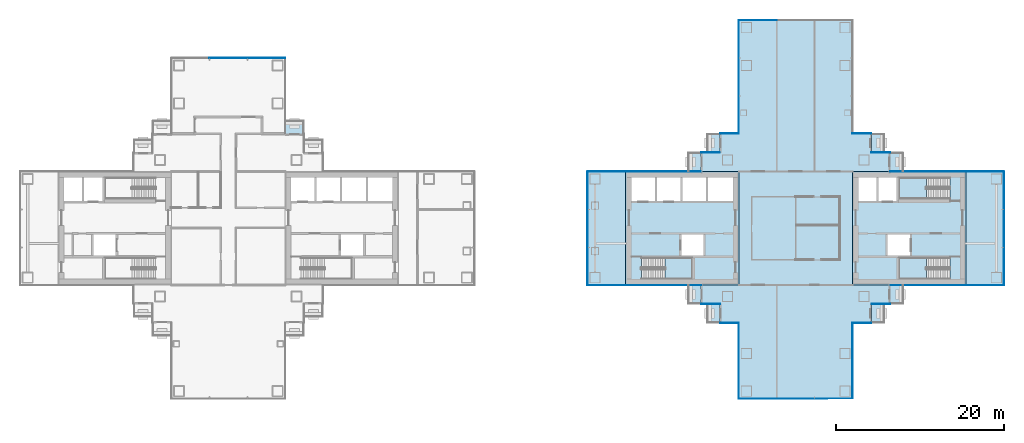
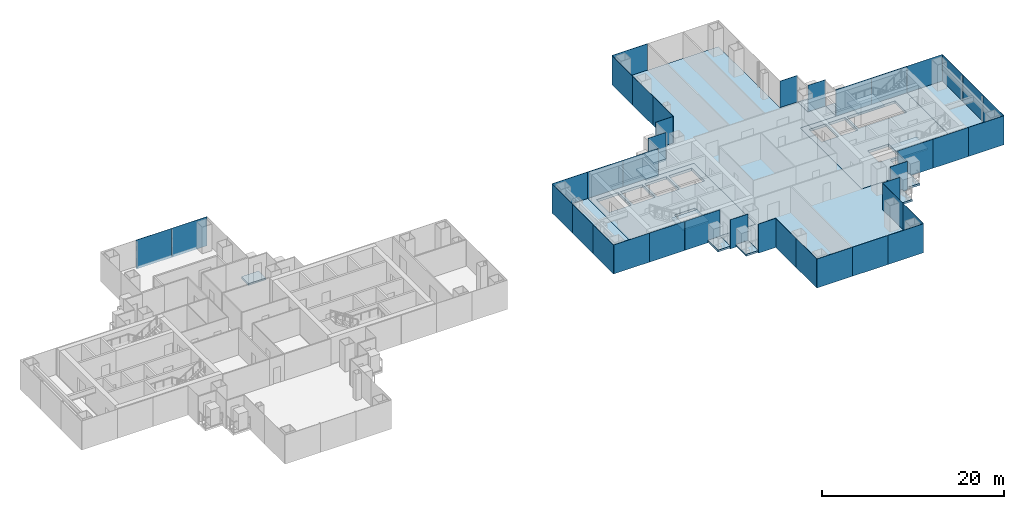
# One storey, part 10 of 20: 39 plates, 17 slabs, 23 elements without a shape of their own.
"""IFC4 building model written with IfcOpenShell, lengths in metres."""

from ifc_helpers import new_model, si_unit, direction, frame, origin, origin_2d, place, context, subcontext, project, spatial, polyline, rectangle, outline, extrude, material, layer, layer_set, type_object, element, aggregate, save


model = new_model("IFC4")

# Units and contexts
model_context = context("Model", 3, precision=1e-05, world=origin(), true_north=direction((0.0, 1.0)))
body_context = subcontext(model_context, "Body", "Model", "MODEL_VIEW")
ifc_project = project(units=[si_unit("LENGTHUNIT", "METRE"), si_unit("AREAUNIT", "SQUARE_METRE"), si_unit("VOLUMEUNIT", "CUBIC_METRE"), si_unit("PLANEANGLEUNIT", "RADIAN"), si_unit("MASSUNIT", "GRAM", prefix="KILO")], contexts=[model_context])

# Site, building, storey
site_placement = place(None, origin())
site = spatial("IfcSite", under=ifc_project, at=site_placement, CompositionType="ELEMENT")
building_placement = place(site_placement, origin())
building = spatial("IfcBuilding", under=site, at=building_placement, Name="Shamsa Quay Exchange Towers", CompositionType="ELEMENT")
storey_placement = place(building_placement, frame((0.0, 0.0, 120.89990234375)))
storey = spatial("IfcBuildingStorey", under=building, at=storey_placement, Name="L28", CompositionType="ELEMENT", Elevation=120.89990234375)

# Slabs
ifc_material_1 = material(Name="Precast concrete C40/50", Category="concrete")
ifc_layer_1 = layer(ifc_material_1, 0.25)
ifc_layer_set_1 = layer_set([ifc_layer_1], Name="BALCONY SLAB 250")
slab_type_1 = type_object("IfcSlabType", Name="BALCONY SLAB 250", PredefinedType="FLOOR", material=ifc_layer_set_1)
slab_1_placement = place(storey_placement, frame((0.0, 0.0, -0.25)))
element("IfcSlab", 1, at=slab_1_placement, inside=storey, type_object=slab_type_1, Name="Balcony T1-PKEN L28", PredefinedType="FLOOR", context=body_context, shape_type="SweptSolid", body=[
    extrude(outline(polyline([(-24.75, 11.25), (-26.9619140625, 11.25), (-26.9619140625, 12.800048828125), (-24.75, 12.800048828125), (-24.75, 11.25)])), origin(), (0.0, 0.0, 1.0), 0.25),
])
slab_2_placement = place(storey_placement, frame((0.0, 0.0, -0.25)))
element("IfcSlab", 2, at=slab_2_placement, inside=storey, type_object=slab_type_1, Name="Balcony T2-PKEN L28", PredefinedType="FLOOR", context=body_context, shape_type="SweptSolid", body=[
    extrude(outline(polyline([(24.75, 11.25), (24.75, 9.0380859375), (23.199951171875, 9.0380859375), (23.199951171875, 11.25), (24.75, 11.25)])), origin(), (0.0, 0.0, 1.0), 0.25),
])
slab_3_placement = place(storey_placement, frame((0.0, 0.0, -0.25)))
element("IfcSlab", 3, at=slab_3_placement, inside=storey, type_object=slab_type_1, Name="Balcony T2-PKEN L28", PredefinedType="FLOOR", context=body_context, shape_type="SweptSolid", body=[
    extrude(outline(polyline([(22.5, 9.0), (22.5, 6.7880859375), (20.949951171875, 6.7880859375), (20.949951171875, 9.0), (22.5, 9.0)])), origin(), (0.0, 0.0, 1.0), 0.25),
])
slab_4_placement = place(storey_placement, frame((0.0, 0.0, -0.25)))
element("IfcSlab", 4, at=slab_4_placement, inside=storey, type_object=slab_type_1, Name="Balcony T2-PKES L28", PredefinedType="FLOOR", context=body_context, shape_type="SweptSolid", body=[
    extrude(outline(polyline([(42.75, 9.0380859375), (42.75, 11.25), (44.300048828125, 11.25), (44.300048828125, 9.0380859375), (42.75, 9.0380859375)])), origin(), (0.0, 0.0, 1.0), 0.25),
])
slab_5_placement = place(storey_placement, frame((0.0, 0.0, -0.25)))
element("IfcSlab", 5, at=slab_5_placement, inside=storey, type_object=slab_type_1, Name="Balcony T2-PKES L28", PredefinedType="FLOOR", context=body_context, shape_type="SweptSolid", body=[
    extrude(outline(polyline([(45.0, 6.7880859375), (45.0, 9.0), (46.550048828125, 9.0), (46.550048828125, 6.7880859375), (45.0, 6.7880859375)])), origin(), (0.0, 0.0, 1.0), 0.25),
])
slab_6_placement = place(storey_placement, frame((0.0, 0.0, -0.25)))
element("IfcSlab", 6, at=slab_6_placement, inside=storey, type_object=slab_type_1, Name="Balcony T2-PKWN L28", PredefinedType="FLOOR", context=body_context, shape_type="SweptSolid", body=[
    extrude(outline(polyline([(22.5, -6.7880859375), (22.5, -9.0), (20.949951171875, -9.0), (20.949951171875, -6.7880859375), (22.5, -6.7880859375)])), origin(), (0.0, 0.0, 1.0), 0.25),
])
slab_7_placement = place(storey_placement, frame((0.0, 0.0, -0.25)))
element("IfcSlab", 7, at=slab_7_placement, inside=storey, type_object=slab_type_1, Name="Balcony T2-PKWN L28", PredefinedType="FLOOR", context=body_context, shape_type="SweptSolid", body=[
    extrude(outline(polyline([(24.75, -9.0380859375), (24.75, -11.25), (23.199951171875, -11.25), (23.199951171875, -9.0380859375), (24.75, -9.0380859375)])), origin(), (0.0, 0.0, 1.0), 0.25),
])
slab_8_placement = place(storey_placement, frame((0.0, 0.0, -0.25)))
element("IfcSlab", 8, at=slab_8_placement, inside=storey, type_object=slab_type_1, Name="Balcony T2-PKWS L28", PredefinedType="FLOOR", context=body_context, shape_type="SweptSolid", body=[
    extrude(outline(polyline([(42.75, -11.25), (42.75, -9.0380859375), (44.300048828125, -9.0380859375), (44.300048828125, -11.25), (42.75, -11.25)])), origin(), (0.0, 0.0, 1.0), 0.25),
])
slab_9_placement = place(storey_placement, frame((0.0, 0.0, -0.25)))
element("IfcSlab", 9, at=slab_9_placement, inside=storey, type_object=slab_type_1, Name="Balcony T2-PKWS L28", PredefinedType="FLOOR", context=body_context, shape_type="SweptSolid", body=[
    extrude(outline(polyline([(45.0, -9.0), (45.0, -6.7880859375), (46.550048828125, -6.7880859375), (46.550048828125, -9.0), (45.0, -9.0)])), origin(), (0.0, 0.0, 1.0), 0.25),
])
ifc_material_2 = material(Name="Concrete C50/60", Category="concrete")
ifc_layer_2 = layer(ifc_material_2, 0.35009765625)
ifc_layer_set_2 = layer_set([ifc_layer_2], Name="CORE FLOOR 350 C50/60")
slab_type_2 = type_object("IfcSlabType", Name="CORE FLOOR 350 C50/60", PredefinedType="FLOOR", material=ifc_layer_set_2)
slab_10_placement = place(storey_placement, frame((0.0, 0.0, -0.349853515625)))
element("IfcSlab", 10, at=slab_10_placement, inside=storey, type_object=slab_type_2, Name="Core floor T2A", PredefinedType="FLOOR", context=body_context, shape_type="SweptSolid", body=[
    extrude(outline(polyline([(13.5, -6.75), (27.0, -6.75), (27.0, 6.75), (13.5, 6.75), (13.5, -6.75)]), holes=[polyline([(15.400634765625, -6.050048828125), (15.400634765625, -3.5), (21.5, -3.5), (21.5, -6.050048828125), (15.400634765625, -6.050048828125)]), polyline([(14.199951171875, 3.25), (14.199951171875, 6.050048828125), (17.0, 6.050048828125), (17.0, 3.25), (14.199951171875, 3.25)]), polyline([(17.25, 3.25), (17.25, 6.050048828125), (20.050048828125, 6.050048828125), (20.050048828125, 3.25), (17.25, 3.25)]), polyline([(20.300048828125, 3.25), (20.300048828125, 6.050048828125), (23.10009765625, 6.050048828125), (23.10009765625, 3.25), (20.300048828125, 3.25)]), polyline([(23.35009765625, 3.25), (23.35009765625, 6.050048828125), (26.300048828125, 6.050048828125), (26.300048828125, 3.25), (23.35009765625, 3.25)]), polyline([(20.14990234375, -3.25), (20.14990234375, -0.75), (22.800048828125, -0.75), (22.800048828125, -3.25), (20.14990234375, -3.25)])]), origin(), (0.0, 0.0, 1.0), 0.349853515625),
])
slab_11_placement = place(storey_placement, frame((0.0, 0.0, -0.349853515625)))
element("IfcSlab", 11, at=slab_11_placement, inside=storey, type_object=slab_type_2, Name="Core floor T2B", PredefinedType="FLOOR", context=body_context, shape_type="SweptSolid", body=[
    extrude(outline(polyline([(54.0, -6.75), (54.0, 6.75), (40.5, 6.75), (40.5, -6.75), (54.0, -6.75)]), holes=[polyline([(52.099365234375, -3.5), (52.099365234375, -6.050048828125), (46.0, -6.050048828125), (46.0, -3.5), (52.099365234375, -3.5)]), polyline([(52.099365234375, 6.050048828125), (52.099365234375, 3.5), (46.0, 3.5), (46.0, 6.050048828125), (52.099365234375, 6.050048828125)]), polyline([(45.75, 3.25), (43.60009765625, 3.25), (43.60009765625, 6.050048828125), (45.75, 6.050048828125), (45.75, 3.25)]), polyline([(43.35009765625, 3.25), (41.199951171875, 3.25), (41.199951171875, 6.050048828125), (43.35009765625, 6.050048828125), (43.35009765625, 3.25)]), polyline([(47.35009765625, -3.25), (44.699951171875, -3.25), (44.699951171875, -0.75), (47.35009765625, -0.75), (47.35009765625, -3.25)])]), origin(), (0.0, 0.0, 1.0), 0.349853515625),
])

# Stair, slab
ifc_material_3 = material(Name="Concrete C40/50", Category="concrete")
stair_type = type_object("IfcStairType", Name="EXIT STAIR 22 RISERS 177 MM", PredefinedType="HALF_TURN_STAIR", material=ifc_material_3)
stair_1_placement = place(storey_placement, origin())
stair_1 = element("IfcStair", 12, at=stair_1_placement, inside=storey, type_object=stair_type, Name="L28 Exit stair ST4", PredefinedType="HALF_TURN_STAIR")
ifc_layer_3 = layer(ifc_material_3, 0.199951171875)
ifc_layer_set_3 = layer_set([ifc_layer_3], Name="CORE STAIR LANDING")
slab_type_3 = type_object("IfcSlabType", Name="CORE STAIR LANDING", PredefinedType="LANDING", material=ifc_layer_set_3)
slab_12_placement = place(storey_placement, frame((0.0, 0.0, 1.75)))
slab_12 = element("IfcSlab", 13, at=slab_12_placement, type_object=slab_type_3, Name="ST4 landing 1", PredefinedType="LANDING", context=body_context, shape_type="SweptSolid", body=[
    extrude(outline(polyline([(18.199951171875, -6.050048828125), (21.5, -6.050048828125), (21.5, -3.5), (18.199951171875, -3.5), (18.199951171875, -6.050048828125)])), origin(), (0.0, 0.0, 1.0), 0.2001953125),
])
aggregate(stair_1, [slab_12])

stair_2_placement = place(storey_placement, origin())
stair_2 = element("IfcStair", 14, at=stair_2_placement, inside=storey, type_object=stair_type, Name="L28 Exit stair ST5", PredefinedType="HALF_TURN_STAIR")
slab_13_placement = place(storey_placement, frame((0.0, 0.0, 1.75)))
slab_13 = element("IfcSlab", 15, at=slab_13_placement, type_object=slab_type_3, Name="ST5 landing 1", PredefinedType="LANDING", context=body_context, shape_type="SweptSolid", body=[
    extrude(outline(polyline([(49.300048828125, -3.5), (46.0, -3.5), (46.0, -6.050048828125), (49.300048828125, -6.050048828125), (49.300048828125, -3.5)])), origin(), (0.0, 0.0, 1.0), 0.2001953125),
])
aggregate(stair_2, [slab_13])

stair_3_placement = place(storey_placement, origin())
stair_3 = element("IfcStair", 16, at=stair_3_placement, inside=storey, type_object=stair_type, Name="L28 Exit stair ST6", PredefinedType="HALF_TURN_STAIR")
slab_14_placement = place(storey_placement, frame((0.0, 0.0, 1.75)))
slab_14 = element("IfcSlab", 17, at=slab_14_placement, type_object=slab_type_3, Name="ST6 landing 1", PredefinedType="LANDING", context=body_context, shape_type="SweptSolid", body=[
    extrude(outline(polyline([(49.300048828125, 6.050048828125), (46.0, 6.050048828125), (46.0, 3.5), (49.300048828125, 3.5), (49.300048828125, 6.050048828125)])), origin(), (0.0, 0.0, 1.0), 0.2001953125),
])
aggregate(stair_3, [slab_14])

# Curtain wall, plates
ifc_material_4 = material(Name="Aluminium EN AW-6063 T6, black anodised", Category="aluminium")
ifc_layer_4 = layer(ifc_material_4, 0.280029296875)
ifc_layer_set_4 = layer_set([ifc_layer_4], Name="CW-1 UNITISED VISION GLASS")
curtain_wall_type_1 = type_object("IfcCurtainWallType", Name="CW-1 UNITISED VISION GLASS", PredefinedType="NOTDEFINED", material=ifc_layer_set_4)
curtain_wall_1_placement = place(storey_placement, origin())
curtain_wall_1 = element("IfcCurtainWall", 18, at=curtain_wall_1_placement, inside=storey, type_object=curtain_wall_type_1, Name="CW1 T1-END-V+ L28", PredefinedType="NOTDEFINED")
ifc_material_5 = material(Name="Glass, laminated, dark tinted", Category="glass")
ifc_layer_5 = layer(ifc_material_5, 0.0400390625)
ifc_layer_set_5 = layer_set([ifc_layer_5], Name="CW-1 VISION GLASS 40")
plate_type_1 = type_object("IfcPlateType", Name="CW-1 VISION GLASS 40", PredefinedType="CURTAIN_PANEL", material=ifc_layer_set_5)
plate_1_placement = place(storey_placement, frame((-29.24755859375, 20.27001953125, -0.349853515625), z_axis=(0.0, 0.0, 1.0), x_axis=(-1.0, 0.0, 0.0)))
plate_1 = element("IfcPlate", 19, at=plate_1_placement, type_object=plate_type_1, Name="CW1 glass panel", PredefinedType="CURTAIN_PANEL", context=body_context, shape_type="SweptSolid", body=[
    extrude(rectangle(XDim=4.4951171875, YDim=0.0400390625, at=origin_2d()), origin(), (0.0, 0.0, 1.0), 3.89990234375),
])
plate_2_placement = place(storey_placement, frame((-33.75, 20.27001953125, -0.349853515625), z_axis=(0.0, 0.0, 1.0), x_axis=(-1.0, 0.0, 0.0)))
plate_2 = element("IfcPlate", 20, at=plate_2_placement, type_object=plate_type_1, Name="CW1 glass panel", PredefinedType="CURTAIN_PANEL", context=body_context, shape_type="SweptSolid", body=[
    extrude(rectangle(XDim=4.489990234375, YDim=0.0400390625, at=origin_2d()), origin(), (0.0, 0.0, 1.0), 3.89990234375),
])
aggregate(curtain_wall_1, [plate_1, plate_2])

# Curtain wall, plate
curtain_wall_2_placement = place(storey_placement, origin())
curtain_wall_2 = element("IfcCurtainWall", 21, at=curtain_wall_2_placement, inside=storey, type_object=curtain_wall_type_1, Name="CW1 T2-FLK-V-W L28", PredefinedType="NOTDEFINED")
plate_3_placement = place(storey_placement, frame((56.25, -6.77001953125, -0.349853515625)))
plate_3 = element("IfcPlate", 22, at=plate_3_placement, type_object=plate_type_1, Name="CW1 glass panel", PredefinedType="CURTAIN_PANEL", context=body_context, shape_type="SweptSolid", body=[
    extrude(rectangle(XDim=4.5, YDim=0.0400390625, at=origin_2d()), origin(), (0.0, 0.0, 1.0), 3.89990234375),
])
aggregate(curtain_wall_2, [plate_3])

# Curtain wall, plates
curtain_wall_3_placement = place(storey_placement, origin())
curtain_wall_3 = element("IfcCurtainWall", 23, at=curtain_wall_3_placement, inside=storey, type_object=curtain_wall_type_1, Name="CW1 T2-END-V- L28", PredefinedType="NOTDEFINED")
plate_4_placement = place(storey_placement, frame((58.52001953125, -4.50244140625, -0.349853515625), z_axis=(0.0, 0.0, 1.0), x_axis=(0.0, 1.0, 0.0)))
plate_4 = element("IfcPlate", 24, at=plate_4_placement, type_object=plate_type_1, Name="CW1 glass panel", PredefinedType="CURTAIN_PANEL", context=body_context, shape_type="SweptSolid", body=[
    extrude(rectangle(XDim=4.4951171875, YDim=0.0400390625, at=origin_2d()), origin(), (0.0, 0.0, 1.0), 3.89990234375),
])
plate_5_placement = place(storey_placement, frame((58.52001953125, 0.0, -0.349853515625), z_axis=(0.0, 0.0, 1.0), x_axis=(0.0, 1.0, 0.0)))
plate_5 = element("IfcPlate", 25, at=plate_5_placement, type_object=plate_type_1, Name="CW1 glass panel", PredefinedType="CURTAIN_PANEL", context=body_context, shape_type="SweptSolid", body=[
    extrude(rectangle(XDim=4.489990234375, YDim=0.0400390625, at=origin_2d()), origin(), (0.0, 0.0, 1.0), 3.89990234375),
])
plate_6_placement = place(storey_placement, frame((58.52001953125, 4.50244140625, -0.349853515625), z_axis=(0.0, 0.0, 1.0), x_axis=(0.0, 1.0, 0.0)))
plate_6 = element("IfcPlate", 26, at=plate_6_placement, type_object=plate_type_1, Name="CW1 glass panel", PredefinedType="CURTAIN_PANEL", context=body_context, shape_type="SweptSolid", body=[
    extrude(rectangle(XDim=4.4951171875, YDim=0.0400390625, at=origin_2d()), origin(), (0.0, 0.0, 1.0), 3.89990234375),
])
aggregate(curtain_wall_3, [plate_4, plate_5, plate_6])

# Curtain wall, plate
curtain_wall_4_placement = place(storey_placement, origin())
curtain_wall_4 = element("IfcCurtainWall", 27, at=curtain_wall_4_placement, inside=storey, type_object=curtain_wall_type_1, Name="CW1 T2-FLK-V-E L28", PredefinedType="NOTDEFINED")
plate_7_placement = place(storey_placement, frame((56.25, 6.77001953125, -0.349853515625), z_axis=(0.0, 0.0, 1.0), x_axis=(-1.0, 0.0, 0.0)))
plate_7 = element("IfcPlate", 28, at=plate_7_placement, type_object=plate_type_1, Name="CW1 glass panel", PredefinedType="CURTAIN_PANEL", context=body_context, shape_type="SweptSolid", body=[
    extrude(rectangle(XDim=4.5, YDim=0.0400390625, at=origin_2d()), origin(), (0.0, 0.0, 1.0), 3.89990234375),
])
aggregate(curtain_wall_4, [plate_7])

curtain_wall_5_placement = place(storey_placement, origin())
curtain_wall_5 = element("IfcCurtainWall", 29, at=curtain_wall_5_placement, inside=storey, type_object=curtain_wall_type_1, Name="CW1 T2-END-U+ L28", PredefinedType="NOTDEFINED")
plate_8_placement = place(storey_placement, frame((29.24755859375, 24.77001953125, -0.349853515625), z_axis=(0.0, 0.0, 1.0), x_axis=(-1.0, 0.0, 0.0)))
plate_8 = element("IfcPlate", 30, at=plate_8_placement, type_object=plate_type_1, Name="CW1 glass panel", PredefinedType="CURTAIN_PANEL", context=body_context, shape_type="SweptSolid", body=[
    extrude(rectangle(XDim=4.4951171875, YDim=0.0400390625, at=origin_2d()), origin(), (0.0, 0.0, 1.0), 3.89990234375),
])
aggregate(curtain_wall_5, [plate_8])

# Curtain wall, plates
curtain_wall_6_placement = place(storey_placement, origin())
curtain_wall_6 = element("IfcCurtainWall", 31, at=curtain_wall_6_placement, inside=storey, type_object=curtain_wall_type_1, Name="CW1 T2-FLK-U+N L28", PredefinedType="NOTDEFINED")
plate_9_placement = place(storey_placement, frame((26.97998046875, 22.50244140625, -0.349853515625), z_axis=(0.0, 0.0, 1.0), x_axis=(0.0, -1.0, 0.0)))
plate_9 = element("IfcPlate", 32, at=plate_9_placement, type_object=plate_type_1, Name="CW1 glass panel", PredefinedType="CURTAIN_PANEL", context=body_context, shape_type="SweptSolid", body=[
    extrude(rectangle(XDim=4.4951171875, YDim=0.0400390625, at=origin_2d()), origin(), (0.0, 0.0, 1.0), 3.89990234375),
])
plate_10_placement = place(storey_placement, frame((26.97998046875, 18.0, -0.349853515625), z_axis=(0.0, 0.0, 1.0), x_axis=(0.0, -1.0, 0.0)))
plate_10 = element("IfcPlate", 33, at=plate_10_placement, type_object=plate_type_1, Name="CW1 glass panel", PredefinedType="CURTAIN_PANEL", context=body_context, shape_type="SweptSolid", body=[
    extrude(rectangle(XDim=4.489990234375, YDim=0.0400390625, at=origin_2d()), origin(), (0.0, 0.0, 1.0), 3.89990234375),
])
plate_11_placement = place(storey_placement, frame((26.97998046875, 13.49755859375, -0.349853515625), z_axis=(0.0, 0.0, 1.0), x_axis=(0.0, -1.0, 0.0)))
plate_11 = element("IfcPlate", 34, at=plate_11_placement, type_object=plate_type_1, Name="CW1 glass panel", PredefinedType="CURTAIN_PANEL", context=body_context, shape_type="SweptSolid", body=[
    extrude(rectangle(XDim=4.4951171875, YDim=0.0400390625, at=origin_2d()), origin(), (0.0, 0.0, 1.0), 3.89990234375),
])
aggregate(curtain_wall_6, [plate_9, plate_10, plate_11])

# Curtain wall, plate
curtain_wall_7_placement = place(storey_placement, origin())
curtain_wall_7 = element("IfcCurtainWall", 35, at=curtain_wall_7_placement, inside=storey, type_object=curtain_wall_type_1, Name="CW1 T2-FLK-V+E L28", PredefinedType="NOTDEFINED")
plate_12_placement = place(storey_placement, frame((11.25, 6.77001953125, -0.349853515625), z_axis=(0.0, 0.0, 1.0), x_axis=(-1.0, 0.0, 0.0)))
plate_12 = element("IfcPlate", 36, at=plate_12_placement, type_object=plate_type_1, Name="CW1 glass panel", PredefinedType="CURTAIN_PANEL", context=body_context, shape_type="SweptSolid", body=[
    extrude(rectangle(XDim=4.5, YDim=0.0400390625, at=origin_2d()), origin(), (0.0, 0.0, 1.0), 3.89990234375),
])
aggregate(curtain_wall_7, [plate_12])

# Curtain wall, plates
curtain_wall_8_placement = place(storey_placement, origin())
curtain_wall_8 = element("IfcCurtainWall", 37, at=curtain_wall_8_placement, inside=storey, type_object=curtain_wall_type_1, Name="CW1 T2-END-V+ L28", PredefinedType="NOTDEFINED")
plate_13_placement = place(storey_placement, frame((8.97998046875, 4.50244140625, -0.349853515625), z_axis=(0.0, 0.0, 1.0), x_axis=(0.0, -1.0, 0.0)))
plate_13 = element("IfcPlate", 38, at=plate_13_placement, type_object=plate_type_1, Name="CW1 glass panel", PredefinedType="CURTAIN_PANEL", context=body_context, shape_type="SweptSolid", body=[
    extrude(rectangle(XDim=4.4951171875, YDim=0.0400390625, at=origin_2d()), origin(), (0.0, 0.0, 1.0), 3.89990234375),
])
plate_14_placement = place(storey_placement, frame((8.97998046875, 0.0, -0.349853515625), z_axis=(0.0, 0.0, 1.0), x_axis=(0.0, -1.0, 0.0)))
plate_14 = element("IfcPlate", 39, at=plate_14_placement, type_object=plate_type_1, Name="CW1 glass panel", PredefinedType="CURTAIN_PANEL", context=body_context, shape_type="SweptSolid", body=[
    extrude(rectangle(XDim=4.489990234375, YDim=0.0400390625, at=origin_2d()), origin(), (0.0, 0.0, 1.0), 3.89990234375),
])
plate_15_placement = place(storey_placement, frame((8.97998046875, -4.50244140625, -0.349853515625), z_axis=(0.0, 0.0, 1.0), x_axis=(0.0, -1.0, 0.0)))
plate_15 = element("IfcPlate", 40, at=plate_15_placement, type_object=plate_type_1, Name="CW1 glass panel", PredefinedType="CURTAIN_PANEL", context=body_context, shape_type="SweptSolid", body=[
    extrude(rectangle(XDim=4.4951171875, YDim=0.0400390625, at=origin_2d()), origin(), (0.0, 0.0, 1.0), 3.89990234375),
])
aggregate(curtain_wall_8, [plate_13, plate_14, plate_15])

# Curtain wall, plate
curtain_wall_9_placement = place(storey_placement, origin())
curtain_wall_9 = element("IfcCurtainWall", 41, at=curtain_wall_9_placement, inside=storey, type_object=curtain_wall_type_1, Name="CW1 T2-FLK-V+W L28", PredefinedType="NOTDEFINED")
plate_16_placement = place(storey_placement, frame((11.25, -6.77001953125, -0.349853515625)))
plate_16 = element("IfcPlate", 42, at=plate_16_placement, type_object=plate_type_1, Name="CW1 glass panel", PredefinedType="CURTAIN_PANEL", context=body_context, shape_type="SweptSolid", body=[
    extrude(rectangle(XDim=4.5, YDim=0.0400390625, at=origin_2d()), origin(), (0.0, 0.0, 1.0), 3.89990234375),
])
aggregate(curtain_wall_9, [plate_16])

# Curtain wall, plates
curtain_wall_10_placement = place(storey_placement, origin())
curtain_wall_10 = element("IfcCurtainWall", 43, at=curtain_wall_10_placement, inside=storey, type_object=curtain_wall_type_1, Name="CW1 T2-FLK-U-N L28", PredefinedType="NOTDEFINED")
plate_17_placement = place(storey_placement, frame((26.97998046875, -13.52587890625, -0.349853515625), z_axis=(0.0, 0.0, 1.0), x_axis=(0.0, -1.0, 0.0)))
plate_17 = element("IfcPlate", 44, at=plate_17_placement, type_object=plate_type_1, Name="CW1 glass panel", PredefinedType="CURTAIN_PANEL", context=body_context, shape_type="SweptSolid", body=[
    extrude(rectangle(XDim=4.47607421875, YDim=0.0400390625, at=origin_2d()), origin(), (0.0, 0.0, 1.0), 3.89990234375),
])
plate_18_placement = place(storey_placement, frame((26.97998046875, -18.011962890625, -0.349853515625), z_axis=(0.0, 0.0, 1.0), x_axis=(0.0, -1.0, 0.0)))
plate_18 = element("IfcPlate", 45, at=plate_18_placement, type_object=plate_type_1, Name="CW1 glass panel", PredefinedType="CURTAIN_PANEL", context=body_context, shape_type="SweptSolid", body=[
    extrude(rectangle(XDim=4.47607421875, YDim=0.0400390625, at=origin_2d()), origin(), (0.0, 0.0, 1.0), 3.89990234375),
])
aggregate(curtain_wall_10, [plate_17, plate_18])

curtain_wall_11_placement = place(storey_placement, origin())
curtain_wall_11 = element("IfcCurtainWall", 46, at=curtain_wall_11_placement, inside=storey, type_object=curtain_wall_type_1, Name="CW1 T2-END-U- L28", PredefinedType="NOTDEFINED")
plate_19_placement = place(storey_placement, frame((29.24755859375, -20.27001953125, -0.349853515625)))
plate_19 = element("IfcPlate", 47, at=plate_19_placement, type_object=plate_type_1, Name="CW1 glass panel", PredefinedType="CURTAIN_PANEL", context=body_context, shape_type="SweptSolid", body=[
    extrude(rectangle(XDim=4.4951171875, YDim=0.0400390625, at=origin_2d()), origin(), (0.0, 0.0, 1.0), 3.89990234375),
])
plate_20_placement = place(storey_placement, frame((33.75, -20.27001953125, -0.349853515625)))
plate_20 = element("IfcPlate", 48, at=plate_20_placement, type_object=plate_type_1, Name="CW1 glass panel", PredefinedType="CURTAIN_PANEL", context=body_context, shape_type="SweptSolid", body=[
    extrude(rectangle(XDim=4.489990234375, YDim=0.0400390625, at=origin_2d()), origin(), (0.0, 0.0, 1.0), 3.89990234375),
])
plate_21_placement = place(storey_placement, frame((38.25244140625, -20.27001953125, -0.349853515625)))
plate_21 = element("IfcPlate", 49, at=plate_21_placement, type_object=plate_type_1, Name="CW1 glass panel", PredefinedType="CURTAIN_PANEL", context=body_context, shape_type="SweptSolid", body=[
    extrude(rectangle(XDim=4.4951171875, YDim=0.0400390625, at=origin_2d()), origin(), (0.0, 0.0, 1.0), 3.89990234375),
])
aggregate(curtain_wall_11, [plate_19, plate_20, plate_21])

curtain_wall_12_placement = place(storey_placement, origin())
curtain_wall_12 = element("IfcCurtainWall", 50, at=curtain_wall_12_placement, inside=storey, type_object=curtain_wall_type_1, Name="CW1 T2-FLK-U-S L28", PredefinedType="NOTDEFINED")
plate_22_placement = place(storey_placement, frame((40.52001953125, -18.00244140625, -0.349853515625), z_axis=(0.0, 0.0, 1.0), x_axis=(0.0, 1.0, 0.0)))
plate_22 = element("IfcPlate", 51, at=plate_22_placement, type_object=plate_type_1, Name="CW1 glass panel", PredefinedType="CURTAIN_PANEL", context=body_context, shape_type="SweptSolid", body=[
    extrude(rectangle(XDim=4.4951171875, YDim=0.0400390625, at=origin_2d()), origin(), (0.0, 0.0, 1.0), 3.89990234375),
])
plate_23_placement = place(storey_placement, frame((40.52001953125, -13.49755859375, -0.349853515625), z_axis=(0.0, 0.0, 1.0), x_axis=(0.0, 1.0, 0.0)))
plate_23 = element("IfcPlate", 52, at=plate_23_placement, type_object=plate_type_1, Name="CW1 glass panel", PredefinedType="CURTAIN_PANEL", context=body_context, shape_type="SweptSolid", body=[
    extrude(rectangle(XDim=4.4951171875, YDim=0.0400390625, at=origin_2d()), origin(), (0.0, 0.0, 1.0), 3.89990234375),
])
aggregate(curtain_wall_12, [plate_22, plate_23])

ifc_layer_6 = layer(ifc_material_4, 0.303955078125)
ifc_layer_set_6 = layer_set([ifc_layer_6], Name="CW-2 UNITISED OPAQUE SPANDREL GLASS")
curtain_wall_type_2 = type_object("IfcCurtainWallType", Name="CW-2 UNITISED OPAQUE SPANDREL GLASS", PredefinedType="NOTDEFINED", material=ifc_layer_set_6)
curtain_wall_13_placement = place(storey_placement, origin())
curtain_wall_13 = element("IfcCurtainWall", 53, at=curtain_wall_13_placement, inside=storey, type_object=curtain_wall_type_2, Name="CW2 T2-FLK-V-W L28", PredefinedType="NOTDEFINED")
ifc_material_6 = material(Name="Glass, laminated, black enamelled opaque", Category="glass")
ifc_layer_7 = layer(ifc_material_6, 0.0439453125)
ifc_layer_set_7 = layer_set([ifc_layer_7], Name="CW-2 SPANDREL GLASS 44")
plate_type_2 = type_object("IfcPlateType", Name="CW-2 SPANDREL GLASS 44", PredefinedType="CURTAIN_PANEL", material=ifc_layer_set_7)
plate_24_placement = place(storey_placement, frame((47.27587890625, -6.77197265625, -0.349853515625)))
plate_24 = element("IfcPlate", 54, at=plate_24_placement, type_object=plate_type_2, Name="CW2 glass panel", PredefinedType="CURTAIN_PANEL", context=body_context, shape_type="SweptSolid", body=[
    extrude(rectangle(XDim=4.47607421875, YDim=0.0439453125, at=origin_2d()), origin(), (0.0, 0.0, 1.0), 3.89990234375),
])
plate_25_placement = place(storey_placement, frame((51.761962890625, -6.77197265625, -0.349853515625)))
plate_25 = element("IfcPlate", 55, at=plate_25_placement, type_object=plate_type_2, Name="CW2 glass panel", PredefinedType="CURTAIN_PANEL", context=body_context, shape_type="SweptSolid", body=[
    extrude(rectangle(XDim=4.47607421875, YDim=0.0439453125, at=origin_2d()), origin(), (0.0, 0.0, 1.0), 3.89990234375),
])
aggregate(curtain_wall_13, [plate_24, plate_25])

curtain_wall_14_placement = place(storey_placement, origin())
curtain_wall_14 = element("IfcCurtainWall", 56, at=curtain_wall_14_placement, inside=storey, type_object=curtain_wall_type_2, Name="CW2 T2-FLK-V-E L28", PredefinedType="NOTDEFINED")
plate_26_placement = place(storey_placement, frame((51.75244140625, 6.77197265625, -0.349853515625), z_axis=(0.0, 0.0, 1.0), x_axis=(-1.0, 0.0, 0.0)))
plate_26 = element("IfcPlate", 57, at=plate_26_placement, type_object=plate_type_2, Name="CW2 glass panel", PredefinedType="CURTAIN_PANEL", context=body_context, shape_type="SweptSolid", body=[
    extrude(rectangle(XDim=4.4951171875, YDim=0.0439453125, at=origin_2d()), origin(), (0.0, 0.0, 1.0), 3.89990234375),
])
plate_27_placement = place(storey_placement, frame((47.24755859375, 6.77197265625, -0.349853515625), z_axis=(0.0, 0.0, 1.0), x_axis=(-1.0, 0.0, 0.0)))
plate_27 = element("IfcPlate", 58, at=plate_27_placement, type_object=plate_type_2, Name="CW2 glass panel", PredefinedType="CURTAIN_PANEL", context=body_context, shape_type="SweptSolid", body=[
    extrude(rectangle(XDim=4.4951171875, YDim=0.0439453125, at=origin_2d()), origin(), (0.0, 0.0, 1.0), 3.89990234375),
])
aggregate(curtain_wall_14, [plate_26, plate_27])

curtain_wall_15_placement = place(storey_placement, origin())
curtain_wall_15 = element("IfcCurtainWall", 59, at=curtain_wall_15_placement, inside=storey, type_object=curtain_wall_type_2, Name="CW2 T2-FLK-V+E L28", PredefinedType="NOTDEFINED")
plate_28_placement = place(storey_placement, frame((20.22412109375, 6.77197265625, -0.349853515625), z_axis=(0.0, 0.0, 1.0), x_axis=(-1.0, 0.0, 0.0)))
plate_28 = element("IfcPlate", 60, at=plate_28_placement, type_object=plate_type_2, Name="CW2 glass panel", PredefinedType="CURTAIN_PANEL", context=body_context, shape_type="SweptSolid", body=[
    extrude(rectangle(XDim=4.47607421875, YDim=0.0439453125, at=origin_2d()), origin(), (0.0, 0.0, 1.0), 3.89990234375),
])
plate_29_placement = place(storey_placement, frame((15.738037109375, 6.77197265625, -0.349853515625), z_axis=(0.0, 0.0, 1.0), x_axis=(-1.0, 0.0, 0.0)))
plate_29 = element("IfcPlate", 61, at=plate_29_placement, type_object=plate_type_2, Name="CW2 glass panel", PredefinedType="CURTAIN_PANEL", context=body_context, shape_type="SweptSolid", body=[
    extrude(rectangle(XDim=4.47607421875, YDim=0.0439453125, at=origin_2d()), origin(), (0.0, 0.0, 1.0), 3.89990234375),
])
aggregate(curtain_wall_15, [plate_28, plate_29])

curtain_wall_16_placement = place(storey_placement, origin())
curtain_wall_16 = element("IfcCurtainWall", 62, at=curtain_wall_16_placement, inside=storey, type_object=curtain_wall_type_2, Name="CW2 T2-FLK-V+W L28", PredefinedType="NOTDEFINED")
plate_30_placement = place(storey_placement, frame((15.74755859375, -6.77197265625, -0.349853515625)))
plate_30 = element("IfcPlate", 63, at=plate_30_placement, type_object=plate_type_2, Name="CW2 glass panel", PredefinedType="CURTAIN_PANEL", context=body_context, shape_type="SweptSolid", body=[
    extrude(rectangle(XDim=4.4951171875, YDim=0.0439453125, at=origin_2d()), origin(), (0.0, 0.0, 1.0), 3.89990234375),
])
plate_31_placement = place(storey_placement, frame((20.25244140625, -6.77197265625, -0.349853515625)))
plate_31 = element("IfcPlate", 64, at=plate_31_placement, type_object=plate_type_2, Name="CW2 glass panel", PredefinedType="CURTAIN_PANEL", context=body_context, shape_type="SweptSolid", body=[
    extrude(rectangle(XDim=4.4951171875, YDim=0.0439453125, at=origin_2d()), origin(), (0.0, 0.0, 1.0), 3.89990234375),
])
aggregate(curtain_wall_16, [plate_30, plate_31])

ifc_layer_8 = layer(ifc_material_4, 0.256103515625)
ifc_layer_set_8 = layer_set([ifc_layer_8], Name="CW-4 POCKET SERRATED GLAZING")
curtain_wall_type_3 = type_object("IfcCurtainWallType", Name="CW-4 POCKET SERRATED GLAZING", PredefinedType="NOTDEFINED", material=ifc_layer_set_8)
curtain_wall_17_placement = place(storey_placement, origin())
curtain_wall_17 = element("IfcCurtainWall", 65, at=curtain_wall_17_placement, inside=storey, type_object=curtain_wall_type_3, Name="CW4 PKWS L28", PredefinedType="NOTDEFINED")
ifc_layer_9 = layer(ifc_material_5, 0.035888671875)
ifc_layer_set_9 = layer_set([ifc_layer_9], Name="CW-4 POCKET GLASS 36")
plate_type_3 = type_object("IfcPlateType", Name="CW-4 POCKET GLASS 36", PredefinedType="CURTAIN_PANEL", material=ifc_layer_set_9)
plate_32_placement = place(storey_placement, frame((43.89404296875, -9.01806640625, -0.349853515625)))
plate_32 = element("IfcPlate", 66, at=plate_32_placement, type_object=plate_type_3, Name="CW4 glass panel", PredefinedType="CURTAIN_PANEL", context=body_context, shape_type="SweptSolid", body=[
    extrude(rectangle(XDim=2.2119140625, YDim=0.035888671875, at=origin_2d()), origin(), (0.0, 0.0, 1.0), 3.89990234375),
])
plate_33_placement = place(storey_placement, frame((41.64599609375, -11.26806640625, -0.349853515625)))
plate_33 = element("IfcPlate", 67, at=plate_33_placement, type_object=plate_type_3, Name="CW4 glass panel", PredefinedType="CURTAIN_PANEL", context=body_context, shape_type="SweptSolid", body=[
    extrude(rectangle(XDim=2.2080078125, YDim=0.035888671875, at=origin_2d()), origin(), (0.0, 0.0, 1.0), 3.89990234375),
])
aggregate(curtain_wall_17, [plate_32, plate_33])

curtain_wall_18_placement = place(storey_placement, origin())
curtain_wall_18 = element("IfcCurtainWall", 68, at=curtain_wall_18_placement, inside=storey, type_object=curtain_wall_type_3, Name="CW4 PKES L28", PredefinedType="NOTDEFINED")
plate_34_placement = place(storey_placement, frame((43.875, 9.01806640625, -0.349853515625), z_axis=(0.0, 0.0, 1.0), x_axis=(-1.0, 0.0, 0.0)))
plate_34 = element("IfcPlate", 69, at=plate_34_placement, type_object=plate_type_3, Name="CW4 glass panel", PredefinedType="CURTAIN_PANEL", context=body_context, shape_type="SweptSolid", body=[
    extrude(rectangle(XDim=2.25, YDim=0.035888671875, at=origin_2d()), origin(), (0.0, 0.0, 1.0), 3.89990234375),
])
plate_35_placement = place(storey_placement, frame((41.625, 11.26806640625, -0.349853515625), z_axis=(0.0, 0.0, 1.0), x_axis=(-1.0, 0.0, 0.0)))
plate_35 = element("IfcPlate", 70, at=plate_35_placement, type_object=plate_type_3, Name="CW4 glass panel", PredefinedType="CURTAIN_PANEL", context=body_context, shape_type="SweptSolid", body=[
    extrude(rectangle(XDim=2.25, YDim=0.035888671875, at=origin_2d()), origin(), (0.0, 0.0, 1.0), 3.89990234375),
])
aggregate(curtain_wall_18, [plate_34, plate_35])

curtain_wall_19_placement = place(storey_placement, origin())
curtain_wall_19 = element("IfcCurtainWall", 71, at=curtain_wall_19_placement, inside=storey, type_object=curtain_wall_type_3, Name="CW4 PKEN L28", PredefinedType="NOTDEFINED")
plate_36_placement = place(storey_placement, frame((25.85400390625, 11.26806640625, -0.349853515625), z_axis=(0.0, 0.0, 1.0), x_axis=(-1.0, 0.0, 0.0)))
plate_36 = element("IfcPlate", 72, at=plate_36_placement, type_object=plate_type_3, Name="CW4 glass panel", PredefinedType="CURTAIN_PANEL", context=body_context, shape_type="SweptSolid", body=[
    extrude(rectangle(XDim=2.2080078125, YDim=0.035888671875, at=origin_2d()), origin(), (0.0, 0.0, 1.0), 3.89990234375),
])
plate_37_placement = place(storey_placement, frame((23.60595703125, 9.01806640625, -0.349853515625), z_axis=(0.0, 0.0, 1.0), x_axis=(-1.0, 0.0, 0.0)))
plate_37 = element("IfcPlate", 73, at=plate_37_placement, type_object=plate_type_3, Name="CW4 glass panel", PredefinedType="CURTAIN_PANEL", context=body_context, shape_type="SweptSolid", body=[
    extrude(rectangle(XDim=2.2119140625, YDim=0.035888671875, at=origin_2d()), origin(), (0.0, 0.0, 1.0), 3.89990234375),
])
aggregate(curtain_wall_19, [plate_36, plate_37])

curtain_wall_20_placement = place(storey_placement, origin())
curtain_wall_20 = element("IfcCurtainWall", 74, at=curtain_wall_20_placement, inside=storey, type_object=curtain_wall_type_3, Name="CW4 PKWN L28", PredefinedType="NOTDEFINED")
plate_38_placement = place(storey_placement, frame((23.625, -9.01806640625, -0.349853515625)))
plate_38 = element("IfcPlate", 75, at=plate_38_placement, type_object=plate_type_3, Name="CW4 glass panel", PredefinedType="CURTAIN_PANEL", context=body_context, shape_type="SweptSolid", body=[
    extrude(rectangle(XDim=2.25, YDim=0.035888671875, at=origin_2d()), origin(), (0.0, 0.0, 1.0), 3.89990234375),
])
plate_39_placement = place(storey_placement, frame((25.875, -11.26806640625, -0.349853515625)))
plate_39 = element("IfcPlate", 76, at=plate_39_placement, type_object=plate_type_3, Name="CW4 glass panel", PredefinedType="CURTAIN_PANEL", context=body_context, shape_type="SweptSolid", body=[
    extrude(rectangle(XDim=2.25, YDim=0.035888671875, at=origin_2d()), origin(), (0.0, 0.0, 1.0), 3.89990234375),
])
aggregate(curtain_wall_20, [plate_38, plate_39])

# Slabs
ifc_layer_10 = layer(ifc_material_3, 0.35009765625)
ifc_layer_set_10 = layer_set([ifc_layer_10], Name="Flat slab 350")
slab_type_4 = type_object("IfcSlabType", Name="Flat slab 350", PredefinedType="FLOOR", material=ifc_layer_set_10)
slab_15_placement = place(storey_placement, frame((0.0, 0.0, -0.349853515625)))
element("IfcSlab", 77, at=slab_15_placement, inside=storey, type_object=slab_type_4, Name="Flat slab T2 L28 4", PredefinedType="FLOOR", context=body_context, shape_type="SweptSolid", body=[
    extrude(outline(polyline([(9.0, -6.75), (13.5, -6.75), (13.5, 6.75), (9.0, 6.75), (9.0, -6.75)])), origin(), (0.0, 0.0, 1.0), 0.349853515625),
])
slab_16_placement = place(storey_placement, frame((0.0, 0.0, -0.349853515625)))
element("IfcSlab", 78, at=slab_16_placement, inside=storey, type_object=slab_type_4, Name="Flat slab T2 L28 5", PredefinedType="FLOOR", context=body_context, shape_type="SweptSolid", body=[
    extrude(outline(polyline([(45.0, -9.0), (45.0, -6.75), (40.5, -6.75), (40.5, 6.75), (45.0, 6.75), (45.0, 9.0), (42.75, 9.0), (42.75, 11.25), (40.5, 11.25), (40.5, 24.75), (27.0, 24.75), (27.0, 11.25), (24.75, 11.25), (24.75, 9.0), (22.5, 9.0), (22.5, 6.75), (27.0, 6.75), (27.0, -6.75), (22.5, -6.75), (22.5, -9.0), (24.75, -9.0), (24.75, -11.25), (27.0, -11.25), (27.0, -20.25), (40.5, -20.25), (40.5, -11.25), (42.75, -11.25), (42.75, -9.0), (45.0, -9.0)])), origin(), (0.0, 0.0, 1.0), 0.349853515625),
])
slab_17_placement = place(storey_placement, frame((0.0, 0.0, -0.349853515625)))
element("IfcSlab", 79, at=slab_17_placement, inside=storey, type_object=slab_type_4, Name="Flat slab T2 L28 6", PredefinedType="FLOOR", context=body_context, shape_type="SweptSolid", body=[
    extrude(outline(polyline([(58.5, 6.75), (54.0, 6.75), (54.0, -6.75), (58.5, -6.75), (58.5, 6.75)])), origin(), (0.0, 0.0, 1.0), 0.349853515625),
])

save(model, "model.ifc")
